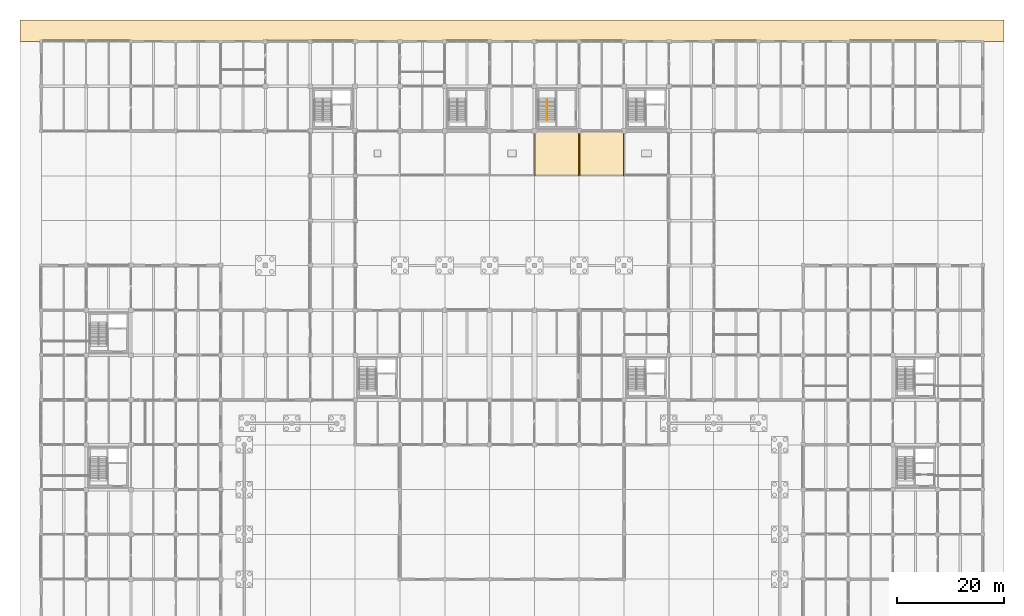
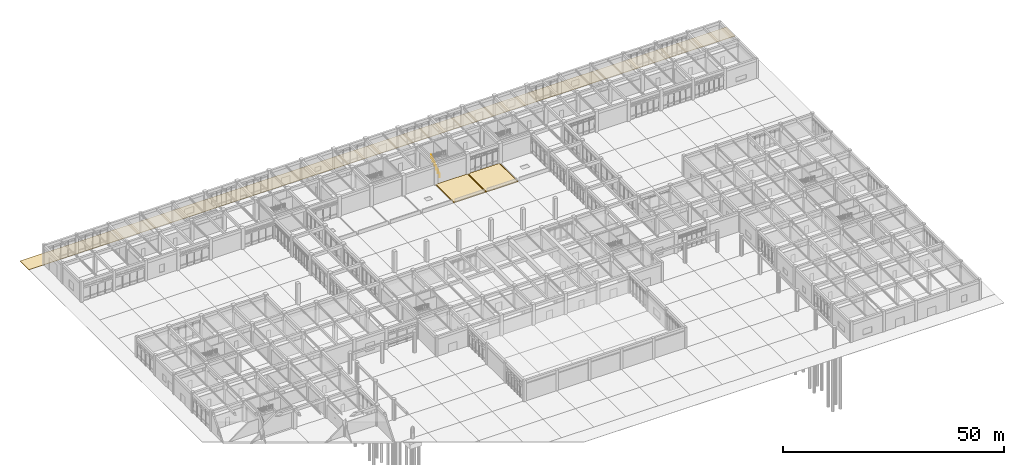
# One storey, part 89 of 91: 5 coverings, 1 railing.
"""IFC4 building model written with IfcOpenShell, lengths in metres."""

from ifc_helpers import new_model, si_unit, direction, frame, origin, origin_2d, place, context, subcontext, project, spatial, polyline, circle, outline, extrude, material, layer, layer_set, type_object, element, save


model = new_model("IFC4")

# Units and contexts
model_context = context("Model", 3, precision=1e-05, world=origin(), true_north=direction((0.0, 1.0)))
body_context = subcontext(model_context, "Body", "Model", "MODEL_VIEW")
ifc_project = project(units=[si_unit("LENGTHUNIT", "METRE"), si_unit("AREAUNIT", "SQUARE_METRE"), si_unit("VOLUMEUNIT", "CUBIC_METRE"), si_unit("PLANEANGLEUNIT", "RADIAN"), si_unit("MASSUNIT", "GRAM", prefix="KILO")], contexts=[model_context])

# Site, building, storey
site_placement = place(None, origin())
site = spatial("IfcSite", under=ifc_project, at=site_placement, CompositionType="ELEMENT")
building_placement = place(site_placement, origin())
building = spatial("IfcBuilding", under=site, at=building_placement, Name="Porcellanite Civic Hall", CompositionType="ELEMENT")
storey_placement = place(building_placement, origin())
storey = spatial("IfcBuildingStorey", under=building, at=storey_placement, Name="L00", CompositionType="ELEMENT", Elevation=0.0)

# Coverings
ifc_material_1 = material(Name="Darwin porcellanite stone paving", Category="masonry")
ifc_layer_1 = layer(ifc_material_1, 0.10009765625)
ifc_layer_set_1 = layer_set([ifc_layer_1], Name="Darwin porcellanite stone paving")
covering_type_1 = type_object("IfcCoveringType", Name="COV-PAV100", PredefinedType="USERDEFINED", material=ifc_layer_set_1)
covering_1_placement = place(storey_placement, frame((0.0, 0.0, -0.10009765625)))
element("IfcCovering", 1, at=covering_1_placement, inside=storey, type_object=covering_type_1, Name="Porcellanite Square paving 12-12", ObjectType="PAVING", PredefinedType="USERDEFINED", context=body_context, shape_type="SweptSolid", body=[
    extrude(outline(polyline([(92.39990234375, 92.39990234375), (100.800048828125, 92.39990234375), (100.800048828125, 100.800048828125), (92.39990234375, 100.800048828125), (92.39990234375, 92.39990234375)])), origin(), (0.0, 0.0, 1.0), 0.10009765625),
])
covering_2_placement = place(storey_placement, frame((0.0, 0.0, -0.10009765625)))
element("IfcCovering", 2, at=covering_2_placement, inside=storey, type_object=covering_type_1, Name="Porcellanite Square paving 13-12", ObjectType="PAVING", PredefinedType="USERDEFINED", context=body_context, shape_type="SweptSolid", body=[
    extrude(outline(polyline([(100.800048828125, 92.39990234375), (109.199951171875, 92.39990234375), (109.199951171875, 100.800048828125), (100.800048828125, 100.800048828125), (100.800048828125, 92.39990234375)])), origin(), (0.0, 0.0, 1.0), 0.10009765625),
])
covering_3_placement = place(storey_placement, frame((0.0, 0.0, -0.10009765625)))
element("IfcCovering", 3, at=covering_3_placement, inside=storey, type_object=covering_type_1, Name="Perimeter civic promenade paving N", ObjectType="PAVING", PredefinedType="USERDEFINED", context=body_context, shape_type="SweptSolid", body=[
    extrude(outline(polyline([(-4.0, 117.60009765625), (180.39990234375, 117.60009765625), (180.39990234375, 121.60009765625), (-4.0, 121.60009765625), (-4.0, 117.60009765625)])), origin(), (0.0, 0.0, 1.0), 0.10009765625),
])
ifc_material_2 = material(Name="Insulated light-reflective TPO monsoon roofing membrane")
ifc_layer_2 = layer(ifc_material_2, 0.070068359375)
ifc_layer_set_2 = layer_set([ifc_layer_2], Name="Insulated light-reflective TPO monsoon roofing membrane")
covering_type_2 = type_object("IfcCoveringType", Name="COV-RF2", PredefinedType="ROOFING", material=ifc_layer_set_2)
covering_4_placement = place(storey_placement, origin())
element("IfcCovering", 4, at=covering_4_placement, inside=storey, type_object=covering_type_2, Name="Roof membrane L00 12-12", PredefinedType="ROOFING", context=body_context, shape_type="SweptSolid", body=[
    extrude(outline(polyline([(92.550048828125, 92.550048828125), (100.64990234375, 92.550048828125), (100.64990234375, 100.64990234375), (92.550048828125, 100.64990234375), (92.550048828125, 92.550048828125)])), origin(), (0.0, 0.0, 1.0), 0.070068359375),
])
ifc_material_3 = material(Name="Insulated light-reflective TPO monsoon roofing membrane")
ifc_layer_3 = layer(ifc_material_3, 0.06005859375)
ifc_layer_set_3 = layer_set([ifc_layer_3], Name="Insulated light-reflective TPO monsoon roofing membrane")
covering_type_3 = type_object("IfcCoveringType", Name="COV-RF3", PredefinedType="ROOFING", material=ifc_layer_set_3)
covering_5_placement = place(storey_placement, origin())
element("IfcCovering", 5, at=covering_5_placement, inside=storey, type_object=covering_type_3, Name="Roof membrane L00 13-12", PredefinedType="ROOFING", context=body_context, shape_type="SweptSolid", body=[
    extrude(outline(polyline([(100.949951171875, 92.550048828125), (109.050048828125, 92.550048828125), (109.050048828125, 100.64990234375), (100.949951171875, 100.64990234375), (100.949951171875, 92.550048828125)])), origin(), (0.0, 0.0, 1.0), 0.06005859375),
])

# Railing
ifc_material_4 = material(Name="Brushed stainless steel 316", Category="steel")
railing_type = type_object("IfcRailingType", Name="RL-HR950", PredefinedType="HANDRAIL", material=ifc_material_4)
railing_placement = place(storey_placement, frame((94.735107421875, 102.800048828125, 0.0)))
element("IfcRailing", 6, at=railing_placement, inside=storey, type_object=railing_type, Name="Stair handrail ST-10 L00 2", PredefinedType="HANDRAIL", context=body_context, shape_type="SweptSolid", body=[
    extrude(circle(Radius=0.02197265625, at=origin_2d()), frame((0.0, 0.0, 0.927978515625), z_axis=(0.0, 0.798878840457, 0.601491976896), x_axis=(-1.0, 0.0, 0.0)), (0.0, 0.0, 1.0), 4.787841796875),
    extrude(circle(Radius=0.01904296875, at=origin_2d()), origin(), (0.0, 0.0, 1.0), 0.906005859375),
    extrude(circle(Radius=0.01904296875, at=origin_2d()), frame((0.0, 0.764892578125, 0.575927734375)), (0.0, 0.0, 1.0), 0.906005859375),
    extrude(circle(Radius=0.01904296875, at=origin_2d()), frame((0.0, 1.530029296875, 1.15185546875)), (0.0, 0.0, 1.0), 0.906005859375),
    extrude(circle(Radius=0.01904296875, at=origin_2d()), frame((0.0, 2.294921875, 1.72802734375)), (0.0, 0.0, 1.0), 0.906005859375),
    extrude(circle(Radius=0.01904296875, at=origin_2d()), frame((0.0, 3.06005859375, 2.303955078125)), (0.0, 0.0, 1.0), 0.906005859375),
    extrude(circle(Radius=0.01904296875, at=origin_2d()), frame((0.0, 3.824951171875, 2.8798828125)), (0.0, 0.0, 1.0), 0.906005859375),
])

save(model, "model.ifc")
